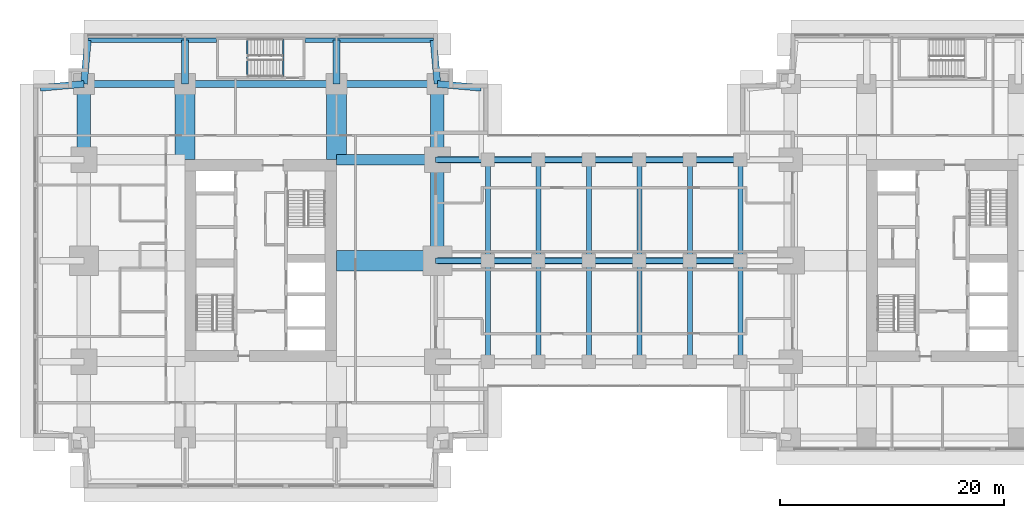
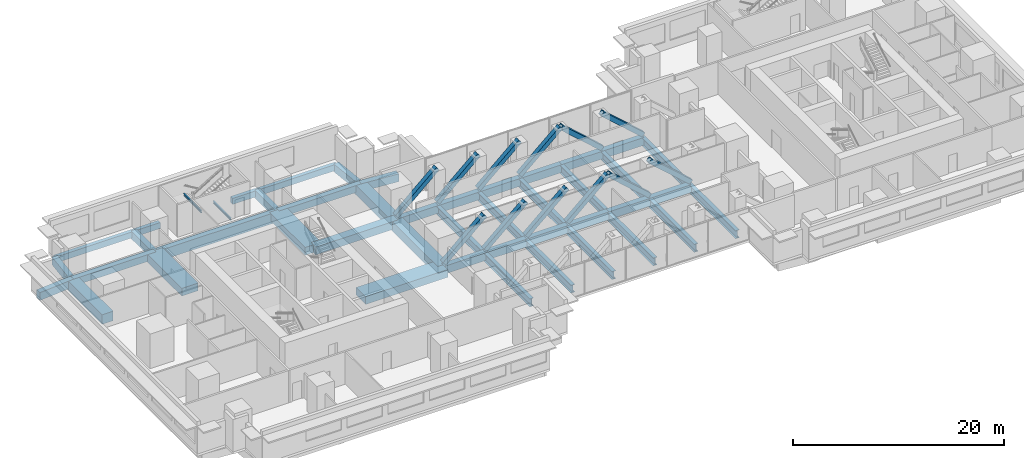
# One storey, part 3 of 16: 44 beams, 12 members.
"""IFC4 building model written with IfcOpenShell, lengths in metres."""

from ifc_helpers import new_model, si_unit, direction, frame, origin, origin_2d, place, context, subcontext, project, spatial, rectangle, hollow_rectangle, i_section, extrude, material, material_profile, profile_set, type_object, element, save


model = new_model("IFC4")

# Units and contexts
model_context = context("Model", 3, precision=1e-05, world=origin(), true_north=direction((0.0, 1.0)))
body_context = subcontext(model_context, "Body", "Model", "MODEL_VIEW")
ifc_project = project(units=[si_unit("LENGTHUNIT", "METRE"), si_unit("AREAUNIT", "SQUARE_METRE"), si_unit("VOLUMEUNIT", "CUBIC_METRE"), si_unit("PLANEANGLEUNIT", "RADIAN"), si_unit("MASSUNIT", "GRAM", prefix="KILO")], contexts=[model_context])

# Site, building, storey
site_placement = place(None, origin())
site = spatial("IfcSite", under=ifc_project, at=site_placement, CompositionType="ELEMENT")
building_placement = place(site_placement, origin())
building = spatial("IfcBuilding", under=site, at=building_placement, Name="Namib Vertical Campus", CompositionType="ELEMENT")
storey_placement = place(building_placement, frame((0.0, 0.0, 129.0)))
storey = spatial("IfcBuildingStorey", under=building, at=storey_placement, Name="L30", CompositionType="ELEMENT", Elevation=129.0)

# Members
ifc_material_1 = material(Name="Steel S355JR", Category="steel")
ifc_material_profile_1 = material_profile(ifc_material_1, hollow_rectangle(XDim=0.5, YDim=0.5, WallThickness=0.031982421875, at=origin_2d()))
ifc_profile_set_1 = profile_set([ifc_material_profile_1], Name="Steel S355JR")
member_type = type_object("IfcMemberType", Name="Bridge end brace WB 500x500x32", PredefinedType="BRACE", material=ifc_profile_set_1)
for number, where, z_axis, x_axis, name in (
    (1, (36.0, 20.25, 0.0), (0.747409318684, 0.0, 0.66436383883), (0.0, 1.0, 0.0), "Bridge brace BX1 L30 T2 bay 1"),
    (2, (40.5, 20.25, 0.0), (0.747409318684, 0.0, 0.66436383883), (0.0, 1.0, 0.0), "Bridge brace BX1 L30 T2 bay 2"),
    (3, (45.0, 20.25, 0.0), (0.747409318684, 0.0, 0.66436383883), (0.0, 1.0, 0.0), "Bridge brace BX1 L30 T2 bay 3"),
    (4, (49.5, 20.25, 0.0), (0.747409318684, 0.0, 0.66436383883), (0.0, 1.0, 0.0), "Bridge brace BX1 L30 T2 bay 4"),
    (5, (58.5, 20.25, 0.0), (-0.747409318684, 0.0, 0.66436383883), (0.0, -1.0, 0.0), "Bridge brace BX1 L30 T2 bay 5"),
    (6, (63.0, 20.25, 0.0), (-0.747409318684, 0.0, 0.66436383883), (0.0, -1.0, 0.0), "Bridge brace BX1 L30 T2 bay 6"),
    (7, (36.0, 29.25, 0.0), (0.747409318684, 0.0, 0.66436383883), (0.0, 1.0, 0.0), "Bridge brace BX1 L30 T3 bay 1"),
    (8, (40.5, 29.25, 0.0), (0.747409318684, 0.0, 0.66436383883), (0.0, 1.0, 0.0), "Bridge brace BX1 L30 T3 bay 2"),
    (9, (45.0, 29.25, 0.0), (0.747409318684, 0.0, 0.66436383883), (0.0, 1.0, 0.0), "Bridge brace BX1 L30 T3 bay 3"),
    (10, (49.5, 29.25, 0.0), (0.747409318684, 0.0, 0.66436383883), (0.0, 1.0, 0.0), "Bridge brace BX1 L30 T3 bay 4"),
    (11, (58.5, 29.25, 0.0), (-0.747409318684, 0.0, 0.66436383883), (0.0, -1.0, 0.0), "Bridge brace BX1 L30 T3 bay 5"),
    (12, (63.0, 29.25, 0.0), (-0.747409318684, 0.0, 0.66436383883), (0.0, -1.0, 0.0), "Bridge brace BX1 L30 T3 bay 6"),
):
    element("IfcMember", number, at=place(storey_placement, frame(where, z_axis=z_axis, x_axis=x_axis)), inside=storey, type_object=member_type, Name=name, PredefinedType="BRACE", context=body_context, shape_type="SweptSolid", body=[
        extrude(hollow_rectangle(XDim=0.5, YDim=0.5, WallThickness=0.031982421875, at=origin_2d()), origin(), (0.0, 0.0, 1.0), 6.020751953125),
    ])

# Beams
ifc_material_2 = material(Name="Steel S355JR", Category="steel")
ifc_material_profile_2 = material_profile(ifc_material_2, i_section(OverallWidth=0.42041015625, OverallDepth=0.92041015625, WebThickness=0.021484375, FlangeThickness=0.03662109375, FilletRadius=0.024169921875, at=origin_2d()))
ifc_profile_set_2 = profile_set([ifc_material_profile_2], Name="Steel S355JR")
beam_type_1 = type_object("IfcBeamType", Name="Bridge floor beam UB 914x419x388", PredefinedType="BEAM", material=ifc_profile_set_2)
for number, where, z_axis, x_axis, name in (
    (13, (40.5, 11.25, -0.710205078125), (0.0, 1.0, 0.0), (-1.0, 0.0, 0.0), "Bridge beam BB1 L30"),
    (14, (40.5, 20.25, -0.710205078125), (0.0, 1.0, 0.0), (-1.0, 0.0, 0.0), "Bridge beam BB1 L30"),
    (15, (45.0, 11.25, -0.710205078125), (0.0, 1.0, 0.0), (-1.0, 0.0, 0.0), "Bridge beam BB1 L30"),
    (16, (45.0, 20.25, -0.710205078125), (0.0, 1.0, 0.0), (-1.0, 0.0, 0.0), "Bridge beam BB1 L30"),
    (17, (49.5, 11.25, -0.710205078125), (0.0, 1.0, 0.0), (-1.0, 0.0, 0.0), "Bridge beam BB1 L30"),
    (18, (49.5, 20.25, -0.710205078125), (0.0, 1.0, 0.0), (-1.0, 0.0, 0.0), "Bridge beam BB1 L30"),
    (19, (54.0, 11.25, -0.710205078125), (0.0, 1.0, 0.0), (-1.0, 0.0, 0.0), "Bridge beam BB1 L30"),
    (20, (54.0, 20.25, -0.710205078125), (0.0, 1.0, 0.0), (-1.0, 0.0, 0.0), "Bridge beam BB1 L30"),
    (21, (58.5, 11.25, -0.710205078125), (0.0, 1.0, 0.0), (-1.0, 0.0, 0.0), "Bridge beam BB1 L30"),
    (22, (58.5, 20.25, -0.710205078125), (0.0, 1.0, 0.0), (-1.0, 0.0, 0.0), "Bridge beam BB1 L30"),
    (23, (63.0, 11.25, -0.710205078125), (0.0, 1.0, 0.0), (-1.0, 0.0, 0.0), "Bridge beam BB1 L30"),
    (24, (63.0, 20.25, -0.710205078125), (0.0, 1.0, 0.0), (-1.0, 0.0, 0.0), "Bridge beam BB1 L30"),
):
    element("IfcBeam", number, at=place(storey_placement, frame(where, z_axis=z_axis, x_axis=x_axis)), inside=storey, type_object=beam_type_1, Name=name, PredefinedType="BEAM", context=body_context, shape_type="SweptSolid", body=[
        extrude(i_section(OverallWidth=0.42041015625, OverallDepth=0.92041015625, WebThickness=0.021484375, FlangeThickness=0.03662109375, FilletRadius=0.024169921875, at=origin_2d()), origin(), (0.0, 0.0, 1.0), 9.0),
    ])
ifc_material_3 = material(Name="Steel S355JR", Category="steel")
ifc_material_profile_3 = material_profile(ifc_material_3, hollow_rectangle(XDim=0.60009765625, YDim=0.89990234375, WallThickness=0.050048828125, at=origin_2d()))
ifc_profile_set_3 = profile_set([ifc_material_profile_3], Name="Steel S355JR")
beam_type_2 = type_object("IfcBeamType", Name="Bridge girder WB 900x600x50", PredefinedType="BEAM", material=ifc_profile_set_3)
for number, where, z_axis, x_axis, name in (
    (25, (36.0, 20.25, -0.699951171875), (1.0, 0.0, 0.0), (0.0, 1.0, 0.0), "Bridge girder BG1 L30"),
    (26, (40.5, 20.25, -0.699951171875), (1.0, 0.0, 0.0), (0.0, 1.0, 0.0), "Bridge girder BG1 L30"),
    (27, (45.0, 20.25, -0.699951171875), (1.0, 0.0, 0.0), (0.0, 1.0, 0.0), "Bridge girder BG1 L30"),
    (28, (49.5, 20.25, -0.699951171875), (1.0, 0.0, 0.0), (0.0, 1.0, 0.0), "Bridge girder BG1 L30"),
    (29, (54.0, 20.25, -0.699951171875), (1.0, 0.0, 0.0), (0.0, 1.0, 0.0), "Bridge girder BG1 L30"),
    (30, (58.5, 20.25, -0.699951171875), (1.0, 0.0, 0.0), (0.0, 1.0, 0.0), "Bridge girder BG1 L30"),
    (31, (36.0, 29.25, -0.699951171875), (1.0, 0.0, 0.0), (0.0, 1.0, 0.0), "Bridge girder BG1 L30"),
    (32, (40.5, 29.25, -0.699951171875), (1.0, 0.0, 0.0), (0.0, 1.0, 0.0), "Bridge girder BG1 L30"),
    (33, (45.0, 29.25, -0.699951171875), (1.0, 0.0, 0.0), (0.0, 1.0, 0.0), "Bridge girder BG1 L30"),
    (34, (49.5, 29.25, -0.699951171875), (1.0, 0.0, 0.0), (0.0, 1.0, 0.0), "Bridge girder BG1 L30"),
    (35, (54.0, 29.25, -0.699951171875), (1.0, 0.0, 0.0), (0.0, 1.0, 0.0), "Bridge girder BG1 L30"),
    (36, (58.5, 29.25, -0.699951171875), (1.0, 0.0, 0.0), (0.0, 1.0, 0.0), "Bridge girder BG1 L30"),
):
    element("IfcBeam", number, at=place(storey_placement, frame(where, z_axis=z_axis, x_axis=x_axis)), inside=storey, type_object=beam_type_2, Name=name, PredefinedType="BEAM", context=body_context, shape_type="SweptSolid", body=[
        extrude(hollow_rectangle(XDim=0.60009765625, YDim=0.89990234375, WallThickness=0.050048828125, at=origin_2d()), origin(), (0.0, 0.0, 1.0), 4.5),
    ])
ifc_material_4 = material(Name="Concrete C40/50", Category="concrete")
ifc_material_profile_4 = material_profile(ifc_material_4, rectangle(XDim=0.60009765625, YDim=0.89990234375, at=origin_2d()))
ifc_profile_set_4 = profile_set([ifc_material_profile_4], Name="Concrete C40/50")
beam_type_3 = type_object("IfcBeamType", Name="Cantilever girder RC 600x900", PredefinedType="BEAM", material=ifc_profile_set_4)
beam_1_placement = place(storey_placement, frame((4.5, 36.0, -0.699951171875), z_axis=(0.089411326146, 0.995994786511, 0.0), x_axis=(-0.995994786511, 0.089411326146, 0.0)))
element("IfcBeam", 37, at=beam_1_placement, inside=storey, type_object=beam_type_3, Name="Beam B3 L30", PredefinedType="BEAM", context=body_context, shape_type="SweptSolid", body=[
    extrude(rectangle(XDim=0.60009765625, YDim=0.89990234375, at=origin_2d()), origin(), (0.0, 0.0, 1.0), 3.91552734375),
])
for number, where, z_axis, x_axis, name in (
    (38, (13.5, 36.0, -0.699951171875), (0.0, 1.0, 0.0), (-1.0, 0.0, 0.0), "Beam B3 L30"),
    (39, (27.0, 36.0, -0.699951171875), (0.0, 1.0, 0.0), (-1.0, 0.0, 0.0), "Beam B3 L30"),
):
    element("IfcBeam", number, at=place(storey_placement, frame(where, z_axis=z_axis, x_axis=x_axis)), inside=storey, type_object=beam_type_3, Name=name, PredefinedType="BEAM", context=body_context, shape_type="SweptSolid", body=[
        extrude(rectangle(XDim=0.60009765625, YDim=0.89990234375, at=origin_2d()), origin(), (0.0, 0.0, 1.0), 3.89990234375),
    ])
for number, where, z_axis, x_axis, name in (
    (40, (36.0, 36.0, -0.699951171875), (-0.089411326146, 0.995994786511, 0.0), (-0.995994786511, -0.089411326146, 0.0), "Beam B3 L30"),
    (41, (4.5, 36.0, -0.699951171875), (-0.995994786511, -0.089411326146, 0.0), (0.089411326146, -0.995994786511, 0.0), "Beam B3 L30"),
    (42, (36.0, 36.0, -0.699951171875), (0.995994786511, -0.089411326146, 0.0), (0.089411326146, 0.995994786511, 0.0), "Beam B3 L30"),
):
    element("IfcBeam", number, at=place(storey_placement, frame(where, z_axis=z_axis, x_axis=x_axis)), inside=storey, type_object=beam_type_3, Name=name, PredefinedType="BEAM", context=body_context, shape_type="SweptSolid", body=[
        extrude(rectangle(XDim=0.60009765625, YDim=0.89990234375, at=origin_2d()), origin(), (0.0, 0.0, 1.0), 3.91552734375),
    ])
ifc_material_5 = material(Name="Concrete C40/50", Category="concrete")
ifc_material_profile_5 = material_profile(ifc_material_5, rectangle(XDim=0.39990234375, YDim=0.699951171875, at=origin_2d()))
ifc_profile_set_5 = profile_set([ifc_material_profile_5], Name="Concrete C40/50")
beam_type_4 = type_object("IfcBeamType", Name="Edge beam RC 400x700", PredefinedType="SPANDREL", material=ifc_profile_set_5)
for number, where, z_axis, x_axis, name in (
    (43, (4.85009765625, 39.89990234375, -0.60009765625), (1.0, 0.0, 0.0), (0.0, 1.0, 0.0), "Beam B4 L30"),
    (44, (24.199951171875, 39.89990234375, -0.60009765625), (1.0, 0.0, 0.0), (0.0, 1.0, 0.0), "Beam B4 L30"),
):
    element("IfcBeam", number, at=place(storey_placement, frame(where, z_axis=z_axis, x_axis=x_axis)), inside=storey, type_object=beam_type_4, Name=name, PredefinedType="SPANDREL", context=body_context, shape_type="SweptSolid", body=[
        extrude(rectangle(XDim=0.39990234375, YDim=0.699951171875, at=origin_2d()), origin(), (0.0, 0.0, 1.0), 11.449951171875),
    ])
ifc_material_6 = material(Name="Concrete C40/50", Category="concrete")
ifc_material_profile_6 = material_profile(ifc_material_6, rectangle(XDim=0.89990234375, YDim=0.89990234375, at=origin_2d()))
ifc_profile_set_6 = profile_set([ifc_material_profile_6], Name="Concrete C40/50")
beam_type_5 = type_object("IfcBeamType", Name="Face girder RC 900x900", PredefinedType="BEAM", material=ifc_profile_set_6)
beam_2_placement = place(storey_placement, frame((36.0, 29.25, -0.699951171875), z_axis=(-1.0, 0.0, 0.0), x_axis=(0.0, -1.0, 0.0)))
element("IfcBeam", 45, at=beam_2_placement, inside=storey, type_object=beam_type_5, Name="Beam B10 L30", PredefinedType="BEAM", context=body_context, shape_type="SweptSolid", body=[
    extrude(rectangle(XDim=0.89990234375, YDim=0.89990234375, at=origin_2d()), origin(), (0.0, 0.0, 1.0), 9.0),
])
ifc_material_7 = material(Name="Concrete C40/50", Category="concrete")
ifc_material_profile_7 = material_profile(ifc_material_7, rectangle(XDim=1.199951171875, YDim=1.10009765625, at=origin_2d()))
ifc_profile_set_7 = profile_set([ifc_material_profile_7], Name="Concrete C40/50")
beam_type_6 = type_object("IfcBeamType", Name="Face ring beam RC 1200x1100", PredefinedType="BEAM", material=ifc_profile_set_7)
beam_3_placement = place(storey_placement, frame((4.5, 29.25, -0.800048828125), z_axis=(0.0, 1.0, 0.0), x_axis=(-1.0, 0.0, 0.0)))
element("IfcBeam", 46, at=beam_3_placement, inside=storey, type_object=beam_type_6, Name="Beam B11 L30", PredefinedType="BEAM", context=body_context, shape_type="SweptSolid", body=[
    extrude(rectangle(XDim=1.199951171875, YDim=1.10009765625, at=origin_2d()), origin(), (0.0, 0.0, 1.0), 6.75),
])
beam_4_placement = place(storey_placement, frame((36.0, 20.25, -0.800048828125), z_axis=(0.0, 1.0, 0.0), x_axis=(-1.0, 0.0, 0.0)))
element("IfcBeam", 47, at=beam_4_placement, inside=storey, type_object=beam_type_6, Name="Beam B11 L30", PredefinedType="BEAM", context=body_context, shape_type="SweptSolid", body=[
    extrude(rectangle(XDim=1.199951171875, YDim=1.10009765625, at=origin_2d()), origin(), (0.0, 0.0, 1.0), 9.0),
])
beam_5_placement = place(storey_placement, frame((36.0, 29.25, -0.800048828125), z_axis=(0.0, 1.0, 0.0), x_axis=(-1.0, 0.0, 0.0)))
element("IfcBeam", 48, at=beam_5_placement, inside=storey, type_object=beam_type_6, Name="Beam B11 L30", PredefinedType="BEAM", context=body_context, shape_type="SweptSolid", body=[
    extrude(rectangle(XDim=1.199951171875, YDim=1.10009765625, at=origin_2d()), origin(), (0.0, 0.0, 1.0), 6.75),
])
ifc_material_8 = material(Name="Steel S355JR", Category="steel")
ifc_material_profile_8 = material_profile(ifc_material_8, i_section(OverallWidth=0.14599609375, OverallDepth=0.25146484375, WebThickness=0.006103515625, FlangeThickness=0.008544921875, FilletRadius=0.007568359375, at=origin_2d()))
ifc_profile_set_8 = profile_set([ifc_material_profile_8], Name="Steel S355JR")
beam_type_7 = type_object("IfcBeamType", Name="Landing trimmer UB 254x146x31", PredefinedType="BEAM", material=ifc_profile_set_8)
for number, where, z_axis, x_axis, name in (
    (49, (22.27294921875, 36.64990234375, -0.125732421875), (0.0, 1.0, 0.0), (-1.0, 0.0, 0.0), "Landing trimmer LT1 A-S3 L30 1"),
    (50, (19.046875, 36.64990234375, 1.874267578125), (0.0, 1.0, 0.0), (-1.0, 0.0, 0.0), "Landing trimmer LT1 A-S3 L30 2"),
):
    element("IfcBeam", number, at=place(storey_placement, frame(where, z_axis=z_axis, x_axis=x_axis)), inside=storey, type_object=beam_type_7, Name=name, PredefinedType="BEAM", context=body_context, shape_type="SweptSolid", body=[
        extrude(i_section(OverallWidth=0.14599609375, OverallDepth=0.25146484375, WebThickness=0.006103515625, FlangeThickness=0.008544921875, FilletRadius=0.007568359375, at=origin_2d()), origin(), (0.0, 0.0, 1.0), 3.35009765625),
    ])
ifc_material_9 = material(Name="Concrete C40/50", Category="concrete")
ifc_material_profile_9 = material_profile(ifc_material_9, rectangle(XDim=0.60009765625, YDim=1.199951171875, at=origin_2d()))
ifc_profile_set_9 = profile_set([ifc_material_profile_9], Name="Concrete C40/50")
beam_type_8 = type_object("IfcBeamType", Name="Long-span ring beam RC 600x1200", PredefinedType="BEAM", material=ifc_profile_set_9)
beam_6_placement = place(storey_placement, frame((13.5, 36.0, -0.85009765625), z_axis=(1.0, 0.0, 0.0), x_axis=(0.0, 1.0, 0.0)))
element("IfcBeam", 51, at=beam_6_placement, inside=storey, type_object=beam_type_8, Name="Beam B9 L30", PredefinedType="BEAM", context=body_context, shape_type="SweptSolid", body=[
    extrude(rectangle(XDim=0.60009765625, YDim=1.199951171875, at=origin_2d()), origin(), (0.0, 0.0, 1.0), 13.5),
])
ifc_material_10 = material(Name="Concrete C40/50", Category="concrete")
ifc_material_profile_10 = material_profile(ifc_material_10, rectangle(XDim=1.800048828125, YDim=0.89990234375, at=origin_2d()))
ifc_profile_set_10 = profile_set([ifc_material_profile_10], Name="Concrete C40/50")
beam_type_9 = type_object("IfcBeamType", Name="Outrigger line girder RC 1800x900", PredefinedType="BEAM", material=ifc_profile_set_10)
for number, where, z_axis, x_axis, name in (
    (52, (13.5, 36.0, -0.699951171875), (0.0, -1.0, 0.0), (1.0, 0.0, 0.0), "Beam B12 L30"),
    (53, (27.0, 36.0, -0.699951171875), (0.0, -1.0, 0.0), (1.0, 0.0, 0.0), "Beam B12 L30"),
):
    element("IfcBeam", number, at=place(storey_placement, frame(where, z_axis=z_axis, x_axis=x_axis)), inside=storey, type_object=beam_type_9, Name=name, PredefinedType="BEAM", context=body_context, shape_type="SweptSolid", body=[
        extrude(rectangle(XDim=1.800048828125, YDim=0.89990234375, at=origin_2d()), origin(), (0.0, 0.0, 1.0), 6.75),
    ])
beam_7_placement = place(storey_placement, frame((36.0, 20.25, -0.699951171875), z_axis=(-1.0, 0.0, 0.0), x_axis=(0.0, -1.0, 0.0)))
element("IfcBeam", 54, at=beam_7_placement, inside=storey, type_object=beam_type_9, Name="Beam B12 L30", PredefinedType="BEAM", context=body_context, shape_type="SweptSolid", body=[
    extrude(rectangle(XDim=1.800048828125, YDim=0.89990234375, at=origin_2d()), origin(), (0.0, 0.0, 1.0), 9.0),
])
ifc_material_11 = material(Name="Concrete C40/50", Category="concrete")
ifc_material_profile_11 = material_profile(ifc_material_11, rectangle(XDim=0.60009765625, YDim=0.800048828125, at=origin_2d()))
ifc_profile_set_11 = profile_set([ifc_material_profile_11], Name="Concrete C40/50")
beam_type_10 = type_object("IfcBeamType", Name="Ring beam RC 600x800", PredefinedType="BEAM", material=ifc_profile_set_11)
for number, where, z_axis, x_axis, name in (
    (55, (4.5, 36.0, -0.64990234375), (1.0, 0.0, 0.0), (0.0, 1.0, 0.0), "Beam B1 L30"),
    (56, (27.0, 36.0, -0.64990234375), (1.0, 0.0, 0.0), (0.0, 1.0, 0.0), "Beam B1 L30"),
):
    element("IfcBeam", number, at=place(storey_placement, frame(where, z_axis=z_axis, x_axis=x_axis)), inside=storey, type_object=beam_type_10, Name=name, PredefinedType="BEAM", context=body_context, shape_type="SweptSolid", body=[
        extrude(rectangle(XDim=0.60009765625, YDim=0.800048828125, at=origin_2d()), origin(), (0.0, 0.0, 1.0), 9.0),
    ])

save(model, "model.ifc")
